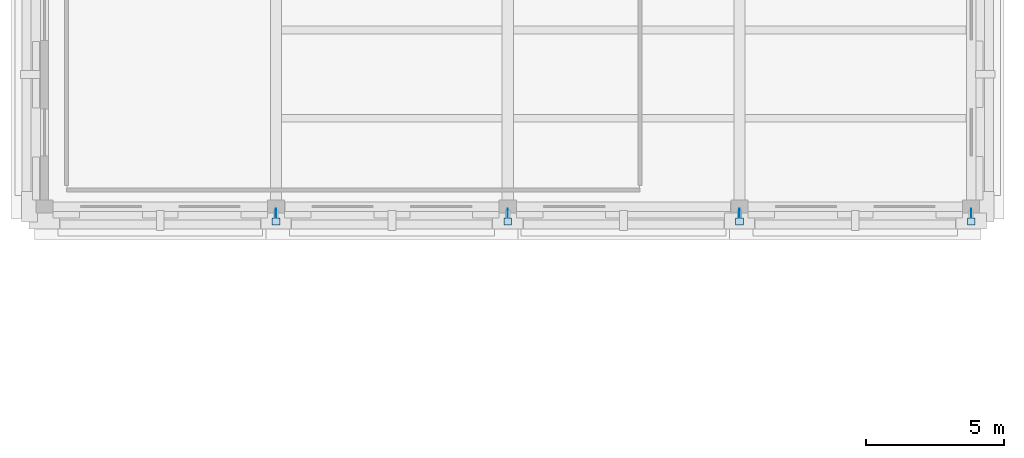
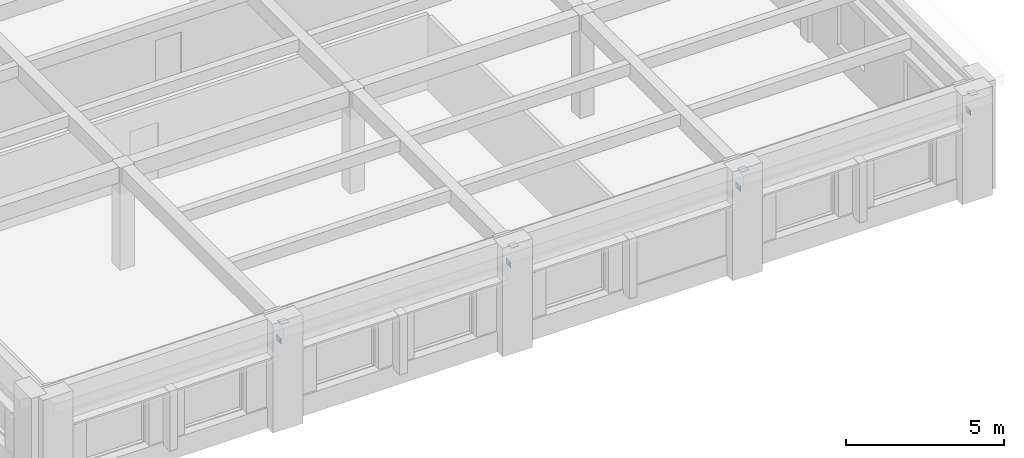
# One storey, part 42 of 62: 8 plates.
"""IFC4 building model written with IfcOpenShell, lengths in metres."""

from ifc_helpers import new_model, si_unit, direction, frame, origin, origin_2d, place, context, subcontext, project, spatial, rectangle, extrude, material, layer, layer_set, type_object, element, save


model = new_model("IFC4")

# Units and contexts
model_context = context("Model", 3, precision=1e-05, world=origin(), true_north=direction((0.0, 1.0)))
body_context = subcontext(model_context, "Body", "Model", "MODEL_VIEW")
ifc_project = project(units=[si_unit("LENGTHUNIT", "METRE"), si_unit("AREAUNIT", "SQUARE_METRE"), si_unit("VOLUMEUNIT", "CUBIC_METRE"), si_unit("PLANEANGLEUNIT", "RADIAN"), si_unit("MASSUNIT", "GRAM", prefix="KILO")], contexts=[model_context])

# Site, building, storey
site_placement = place(None, origin())
site = spatial("IfcSite", under=ifc_project, at=site_placement, CompositionType="ELEMENT")
building_placement = place(site_placement, origin())
building = spatial("IfcBuilding", under=site, at=building_placement, Name="Bempovik Park Faculty of Sciences", CompositionType="ELEMENT")
storey_placement = place(building_placement, frame((0.0, 0.0, 9.89990234375)))
storey = spatial("IfcBuildingStorey", under=building, at=storey_placement, Name="L02", CompositionType="ELEMENT", Elevation=9.89990234375)

# Plates
ifc_material = material(Name="Steel S355", Category="steel")
ifc_layer_1 = layer(ifc_material, 0.02001953125)
ifc_layer_set_1 = layer_set([ifc_layer_1], Name="Steel S355")
plate_type_1 = type_object("IfcPlateType", Name="PL-15 Steel Plate 280x260x20", PredefinedType="USERDEFINED", material=ifc_layer_set_1)
for number, where, z_axis, x_axis, name in (
    (1, (145.199951171875, 57.6650390625, 3.947998046875), (0.0, 0.0, 1.0), (1.0, 0.0, 0.0), "East Wing Eave Strut End Cap 1"),
    (2, (153.60009765625, 57.6650390625, 3.947998046875), (0.0, 0.0, 1.0), (1.0, 0.0, 0.0), "East Wing Eave Strut End Cap 2"),
    (3, (162.0, 57.6650390625, 3.947998046875), (0.0, 0.0, 1.0), (1.0, 0.0, 0.0), "East Wing Eave Strut End Cap 3"),
    (4, (170.39990234375, 57.6650390625, 3.947998046875), (0.0, 0.0, 1.0), (1.0, 0.0, 0.0), "East Wing Eave Strut End Cap 4"),
):
    element("IfcPlate", number, at=place(storey_placement, frame(where, z_axis=z_axis, x_axis=x_axis)), inside=storey, type_object=plate_type_1, Name=name, ObjectType="STIFFENER PLATE", PredefinedType="USERDEFINED", context=body_context, shape_type="SweptSolid", body=[
        extrude(rectangle(XDim=0.280029296875, YDim=0.260009765625, at=origin_2d()), origin(), (0.0, 0.0, 1.0), 0.02001953125),
    ])
ifc_layer_2 = layer(ifc_material, 0.011962890625)
ifc_layer_set_2 = layer_set([ifc_layer_2], Name="Steel S355")
plate_type_2 = type_object("IfcPlateType", Name="PL-26 Steel Plate 320x220x12", PredefinedType="SHEET", material=ifc_layer_set_2)
for number, where, z_axis, x_axis, name in (
    (5, (145.199951171875, 57.964111328125, 2.990234375), (0.0, 0.0, 1.0), (1.0, 0.0, 0.0), "Brace/Strut End Gusset Plate STR-EAVE-V3-1-E1"),
    (6, (153.60009765625, 57.964111328125, 2.990234375), (0.0, 0.0, 1.0), (1.0, 0.0, 0.0), "Brace/Strut End Gusset Plate STR-EAVE-V3-2-E1"),
    (7, (162.0, 57.964111328125, 2.990234375), (0.0, 0.0, 1.0), (1.0, 0.0, 0.0), "Brace/Strut End Gusset Plate STR-EAVE-V3-3-E1"),
    (8, (170.39990234375, 57.964111328125, 2.990234375), (0.0, 0.0, 1.0), (1.0, 0.0, 0.0), "Brace/Strut End Gusset Plate STR-EAVE-V3-4-E1"),
):
    element("IfcPlate", number, at=place(storey_placement, frame(where, z_axis=z_axis, x_axis=x_axis)), inside=storey, type_object=plate_type_2, Name=name, PredefinedType="SHEET", context=body_context, shape_type="SweptSolid", body=[
        extrude(rectangle(XDim=0.011962890625, YDim=0.320068359375, at=origin_2d()), origin(), (0.0, 0.0, 1.0), 0.219970703125),
    ])

save(model, "model.ifc")
